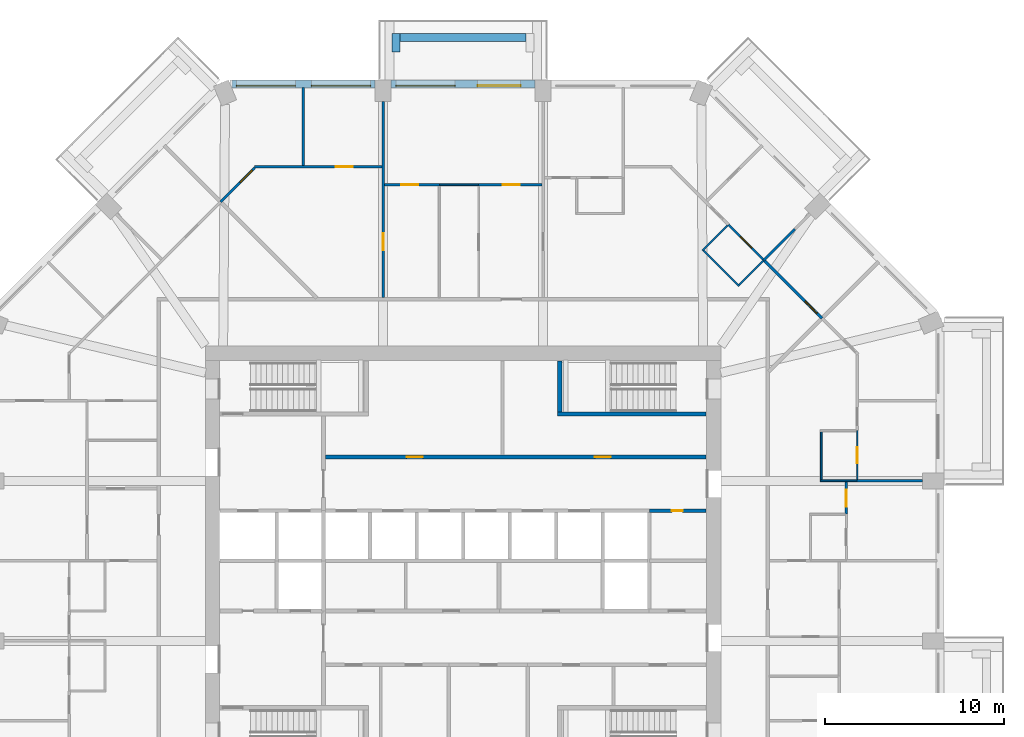
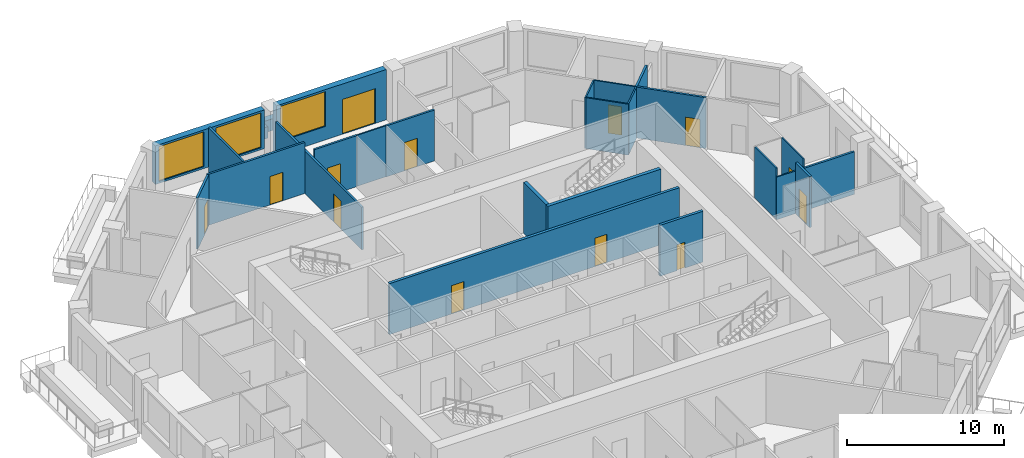
# One storey, part 9 of 13: 26 walls, 13 doors, 3 windows, 16 openings.
"""IFC4 building model written with IfcOpenShell, lengths in metres."""

from ifc_helpers import new_model, si_unit, direction, frame, frame_2d, origin, place, context, subcontext, project, spatial, rectangle, extrude, material, layer, layer_set, type_object, element, fill, save


model = new_model("IFC4")

# Units and contexts
model_context = context("Model", 3, precision=1e-05, world=origin(), true_north=direction((0.0, 1.0)))
body_context = subcontext(model_context, "Body", "Model", "MODEL_VIEW")
ifc_project = project(units=[si_unit("LENGTHUNIT", "METRE"), si_unit("AREAUNIT", "SQUARE_METRE"), si_unit("VOLUMEUNIT", "CUBIC_METRE"), si_unit("PLANEANGLEUNIT", "RADIAN"), si_unit("MASSUNIT", "GRAM", prefix="KILO")], contexts=[model_context])

# Site, building, storey
site_placement = place(None, origin())
site = spatial("IfcSite", under=ifc_project, at=site_placement, CompositionType="ELEMENT")
building_placement = place(site_placement, origin())
building = spatial("IfcBuilding", under=site, at=building_placement, Name="Msitu Wima Residences", CompositionType="ELEMENT")
storey_placement = place(building_placement, frame((0.0, 0.0, 131.699951171875)))
storey = spatial("IfcBuildingStorey", under=building, at=storey_placement, Name="L30", CompositionType="ELEMENT", Elevation=131.699951171875)

# Walls
ifc_material_1 = material(Name="Facing brick")
ifc_layer_1 = layer(ifc_material_1, 0.06494140625, Name="Facing brick")
ifc_material_2 = material(Name="Concrete C40/50", Category="concrete")
ifc_layer_2 = layer(ifc_material_2, 0.156005859375, Name="Concrete C40/50")
ifc_material_3 = material(Name="Waterproofing membrane")
ifc_layer_3 = layer(ifc_material_3, 0.00390625, Name="Waterproofing membrane")
ifc_material_4 = material(Name="Planting soil and planting")
ifc_layer_4 = layer(ifc_material_4, 0.22509765625, Name="Planting soil and planting")
ifc_layer_set_1 = layer_set([ifc_layer_1, ifc_layer_2, ifc_layer_3, ifc_layer_4], Name="Concrete C40/50")
wall_type_1 = type_object("IfcWallType", Name="Balcony planter PLANTER PL450", PredefinedType="USERDEFINED", material=ifc_layer_set_1)
wall_1_placement = place(storey_placement, frame((3.5185546875, 29.22509765625, 0.0), z_axis=(0.0, 0.0, 1.0), x_axis=(-1.0, 0.0, 0.0)))
element("IfcWall", 1, at=wall_1_placement, inside=storey, type_object=wall_type_1, Name="Balcony planter N1 L30", ObjectType="PLANTER", PredefinedType="USERDEFINED", context=body_context, shape_type="SweptSolid", body=[
    extrude(rectangle(XDim=7.037109375, YDim=0.449951171875, at=frame_2d((3.5185546875, 0.0))), origin(), (0.0, 0.0, 1.0), 0.900146484375),
])
wall_2_placement = place(storey_placement, frame((-3.74365234375, 28.39990234375, 0.0), z_axis=(0.0, 0.0, 1.0), x_axis=(0.0, 1.0, 0.0)))
element("IfcWall", 2, at=wall_2_placement, inside=storey, type_object=wall_type_1, Name="Balcony planter N1 L30", ObjectType="PLANTER", PredefinedType="USERDEFINED", context=body_context, shape_type="SweptSolid", body=[
    extrude(rectangle(XDim=1.050048828125, YDim=0.449951171875, at=frame_2d((0.52490234375, 0.0))), origin(), (0.0, 0.0, 1.0), 0.900146484375),
])

# Wall, openings, door, window
ifc_material_5 = material(Name="Brick (red buff mix)", Category="masonry")
ifc_layer_5 = layer(ifc_material_5, 0.449951171875)
ifc_layer_set_2 = layer_set([ifc_layer_5], Name="Brick (red buff mix)")
wall_type_2 = type_object("IfcWallType", Name="Brick infill wall BW450", PredefinedType="SOLIDWALL", material=ifc_layer_set_2)
wall_3_placement = place(storey_placement, frame((4.0185546875, 26.625, 0.0), z_axis=(0.0, 0.0, 1.0), x_axis=(-1.0, 0.0, 0.0)))
wall_3 = element("IfcWall", 3, at=wall_3_placement, inside=storey, type_object=wall_type_2, Name="Brick infill wall L30 N1", PredefinedType="SOLIDWALL", context=body_context, shape_type="SweptSolid", body=[
    extrude(rectangle(XDim=8.037109375, YDim=0.449951171875, at=frame_2d((4.0185546875, 0.0))), origin(), (0.0, 0.0, 1.0), 3.900146484375),
])
opening_1_placement = place(wall_3_placement, frame((0.809326171875, 0.0, 0.0)))
opening_1 = element("IfcOpeningElement", 4, at=opening_1_placement, cuts=wall_3, Name="Opening D30-32.003", PredefinedType="OPENING", context=body_context, shape_type="SweptSolid", body=[
    extrude(rectangle(XDim=2.39990234375, YDim=2.699951171875, at=frame_2d((1.199951171875, 1.35009765625))), frame((0.0, 0.23486328125, 0.0), z_axis=(0.0, -1.0, 0.0), x_axis=(1.0, 0.0, 0.0)), (0.0, 0.0, 1.0), 0.469970703125),
])
opening_2_placement = place(wall_3_placement, frame((4.46875, 0.0, 1.050048828125)))
opening_2 = element("IfcOpeningElement", 5, at=opening_2_placement, cuts=wall_3, Name="Opening W30-32.007", PredefinedType="OPENING", context=body_context, shape_type="SweptSolid", body=[
    extrude(rectangle(XDim=3.300048828125, YDim=2.699951171875, at=frame_2d((1.64990234375, 1.35009765625))), frame((0.0, 0.23486328125, 0.0), z_axis=(0.0, -1.0, 0.0), x_axis=(1.0, 0.0, 0.0)), (0.0, 0.0, 1.0), 0.469970703125),
])
ifc_material_6 = material(Name="Anodised aluminium, bronze finish, clear low-emissivity double glazing", Category="aluminium")
door_type_1 = type_object("IfcDoorType", Name="Balcony door D2400x2700", OperationType="SLIDING_TO_LEFT", PredefinedType="DOOR", material=ifc_material_6)
door_1_placement = place(opening_1_placement, origin())
door_1 = element("IfcDoor", 6, at=door_1_placement, inside=storey, type_object=door_type_1, Name="Balcony door L30 N1", OperationType="SINGLE_SWING_LEFT", OverallHeight=2.699951171875, OverallWidth=2.39990234375, PredefinedType="DOOR", context=body_context, shape_type="SweptSolid", body=[
    extrude(rectangle(XDim=2.39990234375, YDim=2.699951171875, at=frame_2d((1.199951171875, 1.35009765625))), frame((0.0, 0.1298828125, 0.0), z_axis=(0.0, -1.0, 0.0), x_axis=(1.0, 0.0, 0.0)), (0.0, 0.0, 1.0), 0.050048828125),
])
fill(opening_1, door_1)
window_type = type_object("IfcWindowType", Name="Window W3300x2700", PartitioningType="DOUBLE_PANEL_VERTICAL", PredefinedType="WINDOW", material=ifc_material_6)
window_1_placement = place(opening_2_placement, origin())
window_1 = element("IfcWindow", 7, at=window_1_placement, inside=storey, type_object=window_type, Name="Window L30 N1.2", OverallHeight=2.699951171875, OverallWidth=3.300048828125, PartitioningType="SINGLE_PANEL", PredefinedType="WINDOW", context=body_context, shape_type="SweptSolid", body=[
    extrude(rectangle(XDim=3.300048828125, YDim=2.699951171875, at=frame_2d((1.64990234375, 1.35009765625))), frame((0.0, 0.135009765625, 0.0), z_axis=(0.0, -1.0, 0.0), x_axis=(1.0, 0.0, 0.0)), (0.0, 0.0, 1.0), 0.06005859375),
])
fill(opening_2, window_1)

# Wall, openings, windows
wall_4_placement = place(storey_placement, frame((-4.918701171875, 26.625, 0.900146484375), z_axis=(0.0, 0.0, 1.0), x_axis=(-1.0, 0.0, 0.0)))
wall_4 = element("IfcWall", 8, at=wall_4_placement, inside=storey, type_object=wall_type_2, Name="Brick infill wall L30 N2", PredefinedType="SOLIDWALL", context=body_context, shape_type="SweptSolid", body=[
    extrude(rectangle(XDim=8.0, YDim=0.449951171875, at=frame_2d((4.0, 0.0))), origin(), (0.0, 0.0, 1.0), 3.0),
])
opening_3_placement = place(wall_4_placement, frame((0.25, 0.0, 0.14990234375)))
opening_3 = element("IfcOpeningElement", 9, at=opening_3_placement, cuts=wall_4, Name="Opening W30-32.008", PredefinedType="OPENING", context=body_context, shape_type="SweptSolid", body=[
    extrude(rectangle(XDim=3.300048828125, YDim=2.699951171875, at=frame_2d((1.64990234375, 1.35009765625))), frame((0.0, 0.23486328125, 0.0), z_axis=(0.0, -1.0, 0.0), x_axis=(1.0, 0.0, 0.0)), (0.0, 0.0, 1.0), 0.469970703125),
])
opening_4_placement = place(wall_4_placement, frame((4.4501953125, 0.0, 0.14990234375)))
opening_4 = element("IfcOpeningElement", 10, at=opening_4_placement, cuts=wall_4, Name="Opening W30-32.009", PredefinedType="OPENING", context=body_context, shape_type="SweptSolid", body=[
    extrude(rectangle(XDim=3.300048828125, YDim=2.699951171875, at=frame_2d((1.64990234375, 1.35009765625))), frame((0.0, 0.23486328125, 0.0), z_axis=(0.0, -1.0, 0.0), x_axis=(1.0, 0.0, 0.0)), (0.0, 0.0, 1.0), 0.469970703125),
])
window_2_placement = place(opening_3_placement, origin())
window_2 = element("IfcWindow", 11, at=window_2_placement, inside=storey, type_object=window_type, Name="Window L30 N2.1", OverallHeight=2.699951171875, OverallWidth=3.300048828125, PartitioningType="SINGLE_PANEL", PredefinedType="WINDOW", context=body_context, shape_type="SweptSolid", body=[
    extrude(rectangle(XDim=3.300048828125, YDim=2.699951171875, at=frame_2d((1.64990234375, 1.35009765625))), frame((0.0, 0.135009765625, 0.0), z_axis=(0.0, -1.0, 0.0), x_axis=(1.0, 0.0, 0.0)), (0.0, 0.0, 1.0), 0.06005859375),
])
fill(opening_3, window_2)
window_3_placement = place(opening_4_placement, origin())
window_3 = element("IfcWindow", 12, at=window_3_placement, inside=storey, type_object=window_type, Name="Window L30 N2.2", OverallHeight=2.699951171875, OverallWidth=3.300048828125, PartitioningType="SINGLE_PANEL", PredefinedType="WINDOW", context=body_context, shape_type="SweptSolid", body=[
    extrude(rectangle(XDim=3.300048828125, YDim=2.699951171875, at=frame_2d((1.64990234375, 1.35009765625))), frame((0.0, 0.135009765625, 0.0), z_axis=(0.0, -1.0, 0.0), x_axis=(1.0, 0.0, 0.0)), (0.0, 0.0, 1.0), 0.06005859375),
])
fill(opening_4, window_3)

# Wall, openings, doors
ifc_material_7 = material(Name="Plaster")
ifc_layer_6 = layer(ifc_material_7, 0.011962890625, Name="Plaster")
ifc_material_8 = material(Name="Concrete blockwork", Category="masonry")
ifc_layer_7 = layer(ifc_material_8, 0.176025390625, Name="Concrete blockwork")
ifc_layer_8 = layer(ifc_material_7, 0.011962890625, Name="Plaster")
ifc_layer_set_3 = layer_set([ifc_layer_6, ifc_layer_7, ifc_layer_8], Name="Concrete blockwork")
wall_type_3 = type_object("IfcWallType", Name="Corridor wall FW200", PredefinedType="PARTITIONING", material=ifc_layer_set_3)
wall_5_placement = place(storey_placement, frame((-7.699951171875, 5.800048828125, 0.0), z_axis=(0.0, 0.0, 1.0), x_axis=(1.0, 0.0, 0.0)))
wall_5 = element("IfcWall", 13, at=wall_5_placement, inside=storey, type_object=wall_type_3, Name="Corridor wall", PredefinedType="PARTITIONING", context=body_context, shape_type="SweptSolid", body=[
    extrude(rectangle(XDim=21.27001953125, YDim=0.199951171875, at=frame_2d((10.635009765625, 0.0))), origin(), (0.0, 0.0, 1.0), 3.949951171875),
])
opening_5_placement = place(wall_5_placement, frame((4.550048828125, 0.0, 0.0)))
opening_5 = element("IfcOpeningElement", 14, at=opening_5_placement, cuts=wall_5, Name="Opening D30-32.020", PredefinedType="OPENING", context=body_context, shape_type="SweptSolid", body=[
    extrude(rectangle(XDim=0.89990234375, YDim=2.199951171875, at=frame_2d((0.449951171875, 1.10009765625))), frame((0.0, 0.10986328125, 0.0), z_axis=(0.0, -1.0, 0.0), x_axis=(1.0, 0.0, 0.0)), (0.0, 0.0, 1.0), 0.219970703125),
])
opening_6_placement = place(wall_5_placement, frame((15.050048828125, 0.0, 0.0)))
opening_6 = element("IfcOpeningElement", 15, at=opening_6_placement, cuts=wall_5, Name="Opening D30-32.021", PredefinedType="OPENING", context=body_context, shape_type="SweptSolid", body=[
    extrude(rectangle(XDim=0.89990234375, YDim=2.199951171875, at=frame_2d((0.449951171875, 1.10009765625))), frame((0.0, 0.10986328125, 0.0), z_axis=(0.0, -1.0, 0.0), x_axis=(1.0, 0.0, 0.0)), (0.0, 0.0, 1.0), 0.219970703125),
])
ifc_material_9 = material(Name="Timber flush door", Category="wood")
door_type_2 = type_object("IfcDoorType", Name="Service door D05 900x2200", OperationType="SINGLE_SWING_LEFT", PredefinedType="DOOR", material=ifc_material_9)
door_2_placement = place(opening_5_placement, origin())
door_2 = element("IfcDoor", 16, at=door_2_placement, inside=storey, type_object=door_type_2, Name="Service door", OperationType="SINGLE_SWING_LEFT", OverallHeight=2.199951171875, OverallWidth=0.89990234375, PredefinedType="DOOR", context=body_context, shape_type="SweptSolid", body=[
    extrude(rectangle(XDim=0.89990234375, YDim=2.199951171875, at=frame_2d((0.449951171875, 1.10009765625))), frame((0.0, 0.02490234375, 0.0), z_axis=(0.0, -1.0, 0.0), x_axis=(1.0, 0.0, 0.0)), (0.0, 0.0, 1.0), 0.050048828125),
])
fill(opening_5, door_2)
door_3_placement = place(opening_6_placement, origin())
door_3 = element("IfcDoor", 17, at=door_3_placement, inside=storey, type_object=door_type_2, Name="Service door", OperationType="SINGLE_SWING_RIGHT", OverallHeight=2.199951171875, OverallWidth=0.89990234375, PredefinedType="DOOR", context=body_context, shape_type="SweptSolid", body=[
    extrude(rectangle(XDim=0.89990234375, YDim=2.199951171875, at=frame_2d((0.449951171875, 1.10009765625))), frame((0.0, 0.02490234375, 0.0), z_axis=(0.0, -1.0, 0.0), x_axis=(1.0, 0.0, 0.0)), (0.0, 0.0, 1.0), 0.050048828125),
])
fill(opening_6, door_3)

# Wall, opening, door
ifc_layer_9 = layer(ifc_material_7, 0.011962890625, Name="Plaster")
ifc_layer_10 = layer(ifc_material_8, 0.1259765625, Name="Concrete blockwork")
ifc_layer_11 = layer(ifc_material_7, 0.011962890625, Name="Plaster")
ifc_layer_set_4 = layer_set([ifc_layer_9, ifc_layer_10, ifc_layer_11], Name="Concrete blockwork")
wall_type_4 = type_object("IfcWallType", Name="Partition PW150", PredefinedType="PARTITIONING", material=ifc_layer_set_4)
wall_6_placement = place(storey_placement, frame((-13.543212890625, 20.040283203125, 0.0), z_axis=(0.0, 0.0, 1.0), x_axis=(0.707106781187, 0.707106781187, 0.0)))
wall_6 = element("IfcWall", 18, at=wall_6_placement, inside=storey, type_object=wall_type_4, Name="Partition", PredefinedType="PARTITIONING", context=body_context, shape_type="SweptSolid", body=[
    extrude(rectangle(XDim=2.696533203125, YDim=0.14990234375, at=frame_2d((1.34814453125, 0.0))), origin(), (0.0, 0.0, 1.0), 3.949951171875),
])
opening_7_placement = place(wall_6_placement, frame((1.550048828125, 0.0, 0.0)))
opening_7 = element("IfcOpeningElement", 19, at=opening_7_placement, cuts=wall_6, Name="Opening D30-32.044", PredefinedType="OPENING", context=body_context, shape_type="SweptSolid", body=[
    extrude(rectangle(XDim=0.949951171875, YDim=2.199951171875, at=frame_2d((0.47509765625, 1.10009765625))), frame((0.0, 0.0849609375, 0.0), z_axis=(0.0, -1.0, 0.0), x_axis=(1.0, 0.0, 0.0)), (0.0, 0.0, 1.0), 0.169921875),
])
door_type_3 = type_object("IfcDoorType", Name="Room door D12 950x2200", OperationType="SINGLE_SWING_LEFT", PredefinedType="DOOR", material=ifc_material_9)
door_4_placement = place(opening_7_placement, origin())
door_4 = element("IfcDoor", 20, at=door_4_placement, inside=storey, type_object=door_type_3, Name="Room door", OperationType="SINGLE_SWING_LEFT", OverallHeight=2.199951171875, OverallWidth=0.949951171875, PredefinedType="DOOR", context=body_context, shape_type="SweptSolid", body=[
    extrude(rectangle(XDim=0.949951171875, YDim=2.199951171875, at=frame_2d((0.47509765625, 1.10009765625))), frame((0.0, 0.02490234375, 0.0), z_axis=(0.0, -1.0, 0.0), x_axis=(1.0, 0.0, 0.0)), (0.0, 0.0, 1.0), 0.050048828125),
])
fill(opening_7, door_4)

wall_7_placement = place(storey_placement, frame((-11.658447265625, 22.0, 0.0), z_axis=(0.0, 0.0, 1.0), x_axis=(1.0, 0.0, 0.0)))
wall_7 = element("IfcWall", 21, at=wall_7_placement, inside=storey, type_object=wall_type_4, Name="Partition", PredefinedType="PARTITIONING", context=body_context, shape_type="SweptSolid", body=[
    extrude(rectangle(XDim=7.11474609375, YDim=0.14990234375, at=frame_2d((3.557373046875, 0.0))), origin(), (0.0, 0.0, 1.0), 3.949951171875),
])
opening_8_placement = place(wall_7_placement, frame((4.550048828125, 0.0, 0.0)))
opening_8 = element("IfcOpeningElement", 22, at=opening_8_placement, cuts=wall_7, Name="Opening D30-32.043", PredefinedType="OPENING", context=body_context, shape_type="SweptSolid", body=[
    extrude(rectangle(XDim=0.949951171875, YDim=2.199951171875, at=frame_2d((0.47509765625, 1.10009765625))), frame((0.0, 0.0849609375, 0.0), z_axis=(0.0, -1.0, 0.0), x_axis=(1.0, 0.0, 0.0)), (0.0, 0.0, 1.0), 0.169921875),
])
door_5_placement = place(opening_8_placement, origin())
door_5 = element("IfcDoor", 23, at=door_5_placement, inside=storey, type_object=door_type_3, Name="Room door", OperationType="SINGLE_SWING_RIGHT", OverallHeight=2.199951171875, OverallWidth=0.949951171875, PredefinedType="DOOR", context=body_context, shape_type="SweptSolid", body=[
    extrude(rectangle(XDim=0.949951171875, YDim=2.199951171875, at=frame_2d((0.47509765625, 1.10009765625))), frame((0.0, 0.02490234375, 0.0), z_axis=(0.0, -1.0, 0.0), x_axis=(1.0, 0.0, 0.0)), (0.0, 0.0, 1.0), 0.050048828125),
])
fill(opening_8, door_5)

# Wall
wall_8_placement = place(storey_placement, frame((-8.937255859375, 22.074951171875, 0.0), z_axis=(0.0, 0.0, 1.0), x_axis=(0.0, 1.0, 0.0)))
element("IfcWall", 24, at=wall_8_placement, inside=storey, type_object=wall_type_4, Name="Partition", PredefinedType="PARTITIONING", context=body_context, shape_type="SweptSolid", body=[
    extrude(rectangle(XDim=4.35009765625, YDim=0.14990234375, at=frame_2d((2.175048828125, 0.0))), origin(), (0.0, 0.0, 1.0), 3.949951171875),
])

# Wall, opening, door
wall_9_placement = place(storey_placement, frame((-4.46875, 14.699951171875, 0.0), z_axis=(0.0, 0.0, 1.0), x_axis=(0.0, 1.0, 0.0)))
wall_9 = element("IfcWall", 25, at=wall_9_placement, inside=storey, type_object=wall_type_4, Name="Partition", PredefinedType="PARTITIONING", context=body_context, shape_type="SweptSolid", body=[
    extrude(rectangle(XDim=10.949951171875, YDim=0.14990234375, at=frame_2d((5.47509765625, 0.0))), origin(), (0.0, 0.0, 1.0), 3.300048828125),
])
opening_9_placement = place(wall_9_placement, frame((2.64990234375, 0.0, 0.0)))
opening_9 = element("IfcOpeningElement", 26, at=opening_9_placement, cuts=wall_9, Name="Opening D30-32.042", PredefinedType="OPENING", context=body_context, shape_type="SweptSolid", body=[
    extrude(rectangle(XDim=0.949951171875, YDim=2.199951171875, at=frame_2d((0.47509765625, 1.10009765625))), frame((0.0, 0.0849609375, 0.0), z_axis=(0.0, -1.0, 0.0), x_axis=(1.0, 0.0, 0.0)), (0.0, 0.0, 1.0), 0.169921875),
])
door_6_placement = place(opening_9_placement, origin())
door_6 = element("IfcDoor", 27, at=door_6_placement, inside=storey, type_object=door_type_3, Name="Room door", OperationType="SINGLE_SWING_LEFT", OverallHeight=2.199951171875, OverallWidth=0.949951171875, PredefinedType="DOOR", context=body_context, shape_type="SweptSolid", body=[
    extrude(rectangle(XDim=0.949951171875, YDim=2.199951171875, at=frame_2d((0.47509765625, 1.10009765625))), frame((0.0, 0.02490234375, 0.0), z_axis=(0.0, -1.0, 0.0), x_axis=(1.0, 0.0, 0.0)), (0.0, 0.0, 1.0), 0.050048828125),
])
fill(opening_9, door_6)

wall_10_placement = place(storey_placement, frame((-4.3935546875, 21.0, 0.0), z_axis=(0.0, 0.0, 1.0), x_axis=(1.0, 0.0, 0.0)))
wall_10 = element("IfcWall", 28, at=wall_10_placement, inside=storey, type_object=wall_type_4, Name="Partition", PredefinedType="PARTITIONING", context=body_context, shape_type="SweptSolid", body=[
    extrude(rectangle(XDim=3.082275390625, YDim=0.14990234375, at=frame_2d((1.541015625, 0.0))), origin(), (0.0, 0.0, 1.0), 3.949951171875),
])
opening_10_placement = place(wall_10_placement, frame((0.949951171875, 0.0, 0.0)))
opening_10 = element("IfcOpeningElement", 29, at=opening_10_placement, cuts=wall_10, Name="Opening D30-32.041", PredefinedType="OPENING", context=body_context, shape_type="SweptSolid", body=[
    extrude(rectangle(XDim=0.949951171875, YDim=2.199951171875, at=frame_2d((0.47509765625, 1.10009765625))), frame((0.0, 0.0849609375, 0.0), z_axis=(0.0, -1.0, 0.0), x_axis=(1.0, 0.0, 0.0)), (0.0, 0.0, 1.0), 0.169921875),
])
door_7_placement = place(opening_10_placement, origin())
door_7 = element("IfcDoor", 30, at=door_7_placement, inside=storey, type_object=door_type_3, Name="Room door", OperationType="SINGLE_SWING_LEFT", OverallHeight=2.199951171875, OverallWidth=0.949951171875, PredefinedType="DOOR", context=body_context, shape_type="SweptSolid", body=[
    extrude(rectangle(XDim=0.949951171875, YDim=2.199951171875, at=frame_2d((0.47509765625, 1.10009765625))), frame((0.0, 0.02490234375, 0.0), z_axis=(0.0, -1.0, 0.0), x_axis=(1.0, 0.0, 0.0)), (0.0, 0.0, 1.0), 0.050048828125),
])
fill(opening_10, door_7)

wall_11_placement = place(storey_placement, frame((0.8486328125, 21.0, 0.0), z_axis=(0.0, 0.0, 1.0), x_axis=(1.0, 0.0, 0.0)))
wall_11 = element("IfcWall", 31, at=wall_11_placement, inside=storey, type_object=wall_type_4, Name="Partition", PredefinedType="PARTITIONING", context=body_context, shape_type="SweptSolid", body=[
    extrude(rectangle(XDim=3.544921875, YDim=0.14990234375, at=frame_2d((1.7724609375, 0.0))), origin(), (0.0, 0.0, 1.0), 3.949951171875),
])
opening_11_placement = place(wall_11_placement, frame((1.35009765625, 0.0, 0.0)))
opening_11 = element("IfcOpeningElement", 32, at=opening_11_placement, cuts=wall_11, Name="Opening D30-32.073", PredefinedType="OPENING", context=body_context, shape_type="SweptSolid", body=[
    extrude(rectangle(XDim=0.949951171875, YDim=2.199951171875, at=frame_2d((0.47509765625, 1.10009765625))), frame((0.0, 0.0849609375, 0.0), z_axis=(0.0, -1.0, 0.0), x_axis=(1.0, 0.0, 0.0)), (0.0, 0.0, 1.0), 0.169921875),
])
door_8_placement = place(opening_11_placement, origin())
door_8 = element("IfcDoor", 33, at=door_8_placement, inside=storey, type_object=door_type_3, Name="Room door", OperationType="SINGLE_SWING_RIGHT", OverallHeight=2.199951171875, OverallWidth=0.949951171875, PredefinedType="DOOR", context=body_context, shape_type="SweptSolid", body=[
    extrude(rectangle(XDim=0.949951171875, YDim=2.199951171875, at=frame_2d((0.47509765625, 1.10009765625))), frame((0.0, 0.02490234375, 0.0), z_axis=(0.0, -1.0, 0.0), x_axis=(1.0, 0.0, 0.0)), (0.0, 0.0, 1.0), 0.050048828125),
])
fill(opening_11, door_8)

# Wall
wall_12_placement = place(storey_placement, frame((16.777587890625, 16.777587890625, 0.0), z_axis=(0.0, 0.0, 1.0), x_axis=(0.707106781187, 0.707106781187, 0.0)))
element("IfcWall", 34, at=wall_12_placement, inside=storey, type_object=wall_type_4, Name="Partition", PredefinedType="PARTITIONING", context=body_context, shape_type="SweptSolid", body=[
    extrude(rectangle(XDim=2.460693359375, YDim=0.14990234375, at=frame_2d((1.23046875, 0.0))), origin(), (0.0, 0.0, 1.0), 3.949951171875),
])

# Wall, opening, door
wall_13_placement = place(storey_placement, frame((16.791748046875, 16.791748046875, 0.0), z_axis=(0.0, 0.0, 1.0), x_axis=(0.707106781187, -0.707106781187, 0.0)))
wall_13 = element("IfcWall", 35, at=wall_13_placement, inside=storey, type_object=wall_type_4, Name="Partition", PredefinedType="PARTITIONING", context=body_context, shape_type="SweptSolid", body=[
    extrude(rectangle(XDim=4.59423828125, YDim=0.14990234375, at=frame_2d((2.297119140625, 0.0))), origin(), (0.0, 0.0, 1.0), 3.949951171875),
])
opening_12_placement = place(wall_13_placement, frame((3.25, 0.0, 0.0)))
opening_12 = element("IfcOpeningElement", 36, at=opening_12_placement, cuts=wall_13, Name="Opening D30-32.062", PredefinedType="OPENING", context=body_context, shape_type="SweptSolid", body=[
    extrude(rectangle(XDim=0.949951171875, YDim=2.199951171875, at=frame_2d((0.47509765625, 1.10009765625))), frame((0.0, 0.0849609375, 0.0), z_axis=(0.0, -1.0, 0.0), x_axis=(1.0, 0.0, 0.0)), (0.0, 0.0, 1.0), 0.169921875),
])
door_9_placement = place(opening_12_placement, origin())
door_9 = element("IfcDoor", 37, at=door_9_placement, inside=storey, type_object=door_type_3, Name="Room door", OperationType="SINGLE_SWING_RIGHT", OverallHeight=2.199951171875, OverallWidth=0.949951171875, PredefinedType="DOOR", context=body_context, shape_type="SweptSolid", body=[
    extrude(rectangle(XDim=0.949951171875, YDim=2.199951171875, at=frame_2d((0.47509765625, 1.10009765625))), frame((0.0, 0.02490234375, 0.0), z_axis=(0.0, -1.0, 0.0), x_axis=(1.0, 0.0, 0.0)), (0.0, 0.0, 1.0), 0.050048828125),
])
fill(opening_12, door_9)

wall_14_placement = place(storey_placement, frame((21.39990234375, 2.6201171875, 0.0), z_axis=(0.0, 0.0, 1.0), x_axis=(0.0, 1.0, 0.0)))
wall_14 = element("IfcWall", 38, at=wall_14_placement, inside=storey, type_object=wall_type_4, Name="Partition", PredefinedType="PARTITIONING", context=body_context, shape_type="SweptSolid", body=[
    extrude(rectangle(XDim=1.798583984375, YDim=0.14990234375, at=frame_2d((0.8994140625, 0.0))), origin(), (0.0, 0.0, 1.0), 3.949951171875),
])
opening_13_placement = place(wall_14_placement, frame((0.39990234375, 0.0, 0.0)))
opening_13 = element("IfcOpeningElement", 39, at=opening_13_placement, cuts=wall_14, Name="Opening D30-32.079", PredefinedType="OPENING", context=body_context, shape_type="SweptSolid", body=[
    extrude(rectangle(XDim=0.949951171875, YDim=2.199951171875, at=frame_2d((0.47509765625, 1.10009765625))), frame((0.0, 0.0849609375, 0.0), z_axis=(0.0, -1.0, 0.0), x_axis=(1.0, 0.0, 0.0)), (0.0, 0.0, 1.0), 0.169921875),
])
door_10_placement = place(opening_13_placement, origin())
door_10 = element("IfcDoor", 40, at=door_10_placement, inside=storey, type_object=door_type_3, Name="Room door", OperationType="SINGLE_SWING_LEFT", OverallHeight=2.199951171875, OverallWidth=0.949951171875, PredefinedType="DOOR", context=body_context, shape_type="SweptSolid", body=[
    extrude(rectangle(XDim=0.949951171875, YDim=2.199951171875, at=frame_2d((0.47509765625, 1.10009765625))), frame((0.0, 0.02490234375, 0.0), z_axis=(0.0, -1.0, 0.0), x_axis=(1.0, 0.0, 0.0)), (0.0, 0.0, 1.0), 0.050048828125),
])
fill(opening_13, door_10)

# Wall
wall_15_placement = place(storey_placement, frame((21.97998046875, 4.46875, 0.0), z_axis=(0.0, 0.0, 1.0), x_axis=(1.0, 0.0, 0.0)))
element("IfcWall", 41, at=wall_15_placement, inside=storey, type_object=wall_type_4, Name="Partition", PredefinedType="PARTITIONING", context=body_context, shape_type="SweptSolid", body=[
    extrude(rectangle(XDim=3.669921875, YDim=0.14990234375, at=frame_2d((1.8349609375, 0.0))), origin(), (0.0, 0.0, 1.0), 3.300048828125),
])

# Wall, opening, door
ifc_layer_12 = layer(ifc_material_7, 0.011962890625, Name="Plaster")
ifc_material_10 = material(Name="Reinforced concrete blockwork", Category="masonry")
ifc_layer_13 = layer(ifc_material_10, 0.176025390625, Name="Reinforced concrete blockwork")
ifc_layer_14 = layer(ifc_material_7, 0.011962890625, Name="Plaster")
ifc_layer_set_5 = layer_set([ifc_layer_12, ifc_layer_13, ifc_layer_14], Name="Reinforced concrete blockwork")
wall_type_5 = type_object("IfcWallType", Name="Plant and riser wall PL200", PredefinedType="PARTITIONING", material=ifc_layer_set_5)
wall_16_placement = place(storey_placement, frame((10.39990234375, 2.800048828125, 0.0), z_axis=(0.0, 0.0, 1.0), x_axis=(1.0, 0.0, 0.0)))
wall_16 = element("IfcWall", 42, at=wall_16_placement, inside=storey, type_object=wall_type_5, Name="Plant and riser wall", PredefinedType="PARTITIONING", context=body_context, shape_type="SweptSolid", body=[
    extrude(rectangle(XDim=3.170166015625, YDim=0.199951171875, at=frame_2d((1.5849609375, 0.0))), origin(), (0.0, 0.0, 1.0), 3.949951171875),
])
opening_14_placement = place(wall_16_placement, frame((1.25, 0.0, 0.0)))
opening_14 = element("IfcOpeningElement", 43, at=opening_14_placement, cuts=wall_16, Name="Opening D30-32.029", PredefinedType="OPENING", context=body_context, shape_type="SweptSolid", body=[
    extrude(rectangle(XDim=0.60009765625, YDim=2.0, at=frame_2d((0.300048828125, 1.0))), frame((0.0, 0.10986328125, 0.0), z_axis=(0.0, -1.0, 0.0), x_axis=(1.0, 0.0, 0.0)), (0.0, 0.0, 1.0), 0.219970703125),
])
ifc_material_11 = material(Name="Steel access door, fire resisting", Category="steel")
door_type_4 = type_object("IfcDoorType", Name="Riser access door D08 600x2000", OperationType="SINGLE_SWING_LEFT", PredefinedType="DOOR", material=ifc_material_11)
door_11_placement = place(opening_14_placement, origin())
door_11 = element("IfcDoor", 44, at=door_11_placement, inside=storey, type_object=door_type_4, Name="Riser access door", OperationType="SINGLE_SWING_RIGHT", OverallHeight=2.0, OverallWidth=0.60009765625, PredefinedType="DOOR", context=body_context, shape_type="SweptSolid", body=[
    extrude(rectangle(XDim=0.60009765625, YDim=2.0, at=frame_2d((0.300048828125, 1.0))), frame((0.0, 0.02490234375, 0.0), z_axis=(0.0, -1.0, 0.0), x_axis=(1.0, 0.0, 0.0)), (0.0, 0.0, 1.0), 0.050048828125),
])
fill(opening_14, door_11)

# Walls
ifc_material_12 = material(Name="Concrete C50/60", Category="concrete")
ifc_layer_15 = layer(ifc_material_12, 0.25)
ifc_layer_set_6 = layer_set([ifc_layer_15], Name="Concrete C50/60")
wall_type_6 = type_object("IfcWallType", Name="Stair enclosure wall SW250", PredefinedType="SHEAR", material=ifc_layer_set_6)
wall_17_placement = place(storey_placement, frame((5.39990234375, 8.324951171875, 0.0), z_axis=(0.0, 0.0, 1.0), x_axis=(0.0, 1.0, 0.0)))
element("IfcWall", 45, at=wall_17_placement, inside=storey, type_object=wall_type_6, Name="Stair enclosure wall", PredefinedType="SHEAR", context=body_context, shape_type="SweptSolid", body=[
    extrude(rectangle(XDim=2.844970703125, YDim=0.25, at=frame_2d((1.42236328125, 0.0))), origin(), (0.0, 0.0, 1.0), 3.949951171875),
])
wall_18_placement = place(storey_placement, frame((5.27490234375, 8.199951171875, 0.0), z_axis=(0.0, 0.0, 1.0), x_axis=(1.0, 0.0, 0.0)))
element("IfcWall", 46, at=wall_18_placement, inside=storey, type_object=wall_type_6, Name="Stair enclosure wall", PredefinedType="SHEAR", context=body_context, shape_type="SweptSolid", body=[
    extrude(rectangle(XDim=8.295166015625, YDim=0.25, at=frame_2d((4.1474609375, 0.0))), origin(), (0.0, 0.0, 1.0), 3.949951171875),
])
ifc_material_13 = material(Name="Ceramic tiles")
ifc_layer_16 = layer(ifc_material_13, 0.008056640625, Name="Ceramic tiles")
ifc_material_14 = material(Name="Moisture-resistant board")
ifc_layer_17 = layer(ifc_material_14, 0.012451171875, Name="Moisture-resistant board")
ifc_material_15 = material(Name="Light-gauge stud framing with mineral wool")
ifc_layer_18 = layer(ifc_material_15, 0.06689453125, Name="Light-gauge stud framing with mineral wool")
ifc_layer_19 = layer(ifc_material_14, 0.012451171875, Name="Moisture-resistant board")
ifc_layer_set_7 = layer_set([ifc_layer_16, ifc_layer_17, ifc_layer_18, ifc_layer_19], Name="Light-gauge stud framing with mineral wool")
wall_type_7 = type_object("IfcWallType", Name="Wet wall PW100", PredefinedType="PARTITIONING", material=ifc_layer_set_7)
wall_19_placement = place(storey_placement, frame((-1.311279296875, 21.0, 0.0), z_axis=(0.0, 0.0, 1.0), x_axis=(1.0, 0.0, 0.0)))
element("IfcWall", 47, at=wall_19_placement, inside=storey, type_object=wall_type_7, Name="Wet wall", PredefinedType="PARTITIONING", context=body_context, shape_type="SweptSolid", body=[
    extrude(rectangle(XDim=2.159912109375, YDim=0.10009765625, at=frame_2d((1.080078125, 0.0))), origin(), (0.0, 0.0, 1.0), 3.949951171875),
])
wall_20_placement = place(storey_placement, frame((13.3623046875, 17.322021484375, 0.0), z_axis=(0.0, 0.0, 1.0), x_axis=(0.707045742145, 0.70716781496, 0.0)))
element("IfcWall", 48, at=wall_20_placement, inside=storey, type_object=wall_type_7, Name="Wet wall", PredefinedType="PARTITIONING", context=body_context, shape_type="SweptSolid", body=[
    extrude(rectangle(XDim=2.0, YDim=0.10009765625, at=frame_2d((1.0, 0.0))), origin(), (0.0, 0.0, 1.0), 3.949951171875),
])
wall_21_placement = place(storey_placement, frame((13.432861328125, 17.322021484375, 0.0), z_axis=(0.0, 0.0, 1.0), x_axis=(0.707106781187, -0.707106781187, 0.0)))
element("IfcWall", 49, at=wall_21_placement, inside=storey, type_object=wall_type_7, Name="Wet wall", PredefinedType="PARTITIONING", context=body_context, shape_type="SweptSolid", body=[
    extrude(rectangle(XDim=2.800048828125, YDim=0.10009765625, at=frame_2d((1.39990234375, 0.0))), origin(), (0.0, 0.0, 1.0), 3.949951171875),
])

# Wall, opening, door
wall_22_placement = place(storey_placement, frame((14.811767578125, 18.771484375, 0.0), z_axis=(0.0, 0.0, 1.0), x_axis=(0.707150377276, -0.707063182409, 0.0)))
wall_22 = element("IfcWall", 50, at=wall_22_placement, inside=storey, type_object=wall_type_7, Name="Wet wall", PredefinedType="PARTITIONING", context=body_context, shape_type="SweptSolid", body=[
    extrude(rectangle(XDim=2.800048828125, YDim=0.10009765625, at=frame_2d((1.39990234375, 0.0))), origin(), (0.0, 0.0, 1.0), 3.949951171875),
])
opening_15_placement = place(wall_22_placement, frame((0.949951171875, 0.0, 0.0)))
opening_15 = element("IfcOpeningElement", 51, at=opening_15_placement, cuts=wall_22, Name="Opening D30-32.089", PredefinedType="OPENING", context=body_context, shape_type="SweptSolid", body=[
    extrude(rectangle(XDim=0.89990234375, YDim=2.199951171875, at=frame_2d((0.449951171875, 1.10009765625))), frame((0.0, 0.06005859375, 0.0), z_axis=(0.0, -1.0, 0.0), x_axis=(1.0, 0.0, 0.0)), (0.0, 0.0, 1.0), 0.1201171875),
])
ifc_material_16 = material(Name="Timber flush door, moisture resistant", Category="wood")
door_type_5 = type_object("IfcDoorType", Name="Bathroom door D03 900x2200", OperationType="SINGLE_SWING_LEFT", PredefinedType="DOOR", material=ifc_material_16)
door_12_placement = place(opening_15_placement, origin())
door_12 = element("IfcDoor", 52, at=door_12_placement, inside=storey, type_object=door_type_5, Name="Bathroom door", OperationType="SINGLE_SWING_LEFT", OverallHeight=2.199951171875, OverallWidth=0.89990234375, PredefinedType="DOOR", context=body_context, shape_type="SweptSolid", body=[
    extrude(rectangle(XDim=0.89990234375, YDim=2.199951171875, at=frame_2d((0.449951171875, 1.10009765625))), frame((0.0, 0.02490234375, 0.0), z_axis=(0.0, -1.0, 0.0), x_axis=(1.0, 0.0, 0.0)), (0.0, 0.0, 1.0), 0.050048828125),
])
fill(opening_15, door_12)

# Walls
wall_23_placement = place(storey_placement, frame((15.412841796875, 15.412841796875, 0.0), z_axis=(0.0, 0.0, 1.0), x_axis=(0.707106781187, 0.707106781187, 0.0)))
element("IfcWall", 53, at=wall_23_placement, inside=storey, type_object=wall_type_7, Name="Wet wall", PredefinedType="PARTITIONING", context=body_context, shape_type="SweptSolid", body=[
    extrude(rectangle(XDim=1.929931640625, YDim=0.10009765625, at=frame_2d((0.96484375, 0.0))), origin(), (0.0, 0.0, 1.0), 3.949951171875),
])
wall_24_placement = place(storey_placement, frame((20.0, 4.5185546875, 0.0), z_axis=(0.0, 0.0, 1.0), x_axis=(0.0, 1.0, 0.0)))
element("IfcWall", 54, at=wall_24_placement, inside=storey, type_object=wall_type_7, Name="Wet wall", PredefinedType="PARTITIONING", context=body_context, shape_type="SweptSolid", body=[
    extrude(rectangle(XDim=2.7001953125, YDim=0.10009765625, at=frame_2d((1.35009765625, 0.0))), origin(), (0.0, 0.0, 1.0), 3.949951171875),
])
wall_25_placement = place(storey_placement, frame((19.949951171875, 4.46875, 0.0), z_axis=(0.0, 0.0, 1.0), x_axis=(1.0, 0.0, 0.0)))
element("IfcWall", 55, at=wall_25_placement, inside=storey, type_object=wall_type_7, Name="Wet wall", PredefinedType="PARTITIONING", context=body_context, shape_type="SweptSolid", body=[
    extrude(rectangle(XDim=2.030029296875, YDim=0.10009765625, at=frame_2d((1.01513671875, 0.0))), origin(), (0.0, 0.0, 1.0), 3.300048828125),
])

# Wall, opening, door
wall_26_placement = place(storey_placement, frame((22.0, 4.543701171875, 0.0), z_axis=(0.0, 0.0, 1.0), x_axis=(0.0, 1.0, 0.0)))
wall_26 = element("IfcWall", 56, at=wall_26_placement, inside=storey, type_object=wall_type_7, Name="Wet wall", PredefinedType="PARTITIONING", context=body_context, shape_type="SweptSolid", body=[
    extrude(rectangle(XDim=2.724853515625, YDim=0.10009765625, at=frame_2d((1.3623046875, 0.0))), origin(), (0.0, 0.0, 1.0), 3.949951171875),
])
opening_16_placement = place(wall_26_placement, frame((0.89990234375, 0.0, 0.0)))
opening_16 = element("IfcOpeningElement", 57, at=opening_16_placement, cuts=wall_26, Name="Opening D30-32.078", PredefinedType="OPENING", context=body_context, shape_type="SweptSolid", body=[
    extrude(rectangle(XDim=0.89990234375, YDim=2.199951171875, at=frame_2d((0.449951171875, 1.10009765625))), frame((0.0, 0.06005859375, 0.0), z_axis=(0.0, -1.0, 0.0), x_axis=(1.0, 0.0, 0.0)), (0.0, 0.0, 1.0), 0.1201171875),
])
door_13_placement = place(opening_16_placement, origin())
door_13 = element("IfcDoor", 58, at=door_13_placement, inside=storey, type_object=door_type_5, Name="Bathroom door", OperationType="SINGLE_SWING_RIGHT", OverallHeight=2.199951171875, OverallWidth=0.89990234375, PredefinedType="DOOR", context=body_context, shape_type="SweptSolid", body=[
    extrude(rectangle(XDim=0.89990234375, YDim=2.199951171875, at=frame_2d((0.449951171875, 1.10009765625))), frame((0.0, 0.02490234375, 0.0), z_axis=(0.0, -1.0, 0.0), x_axis=(1.0, 0.0, 0.0)), (0.0, 0.0, 1.0), 0.050048828125),
])
fill(opening_16, door_13)

save(model, "model.ifc")
